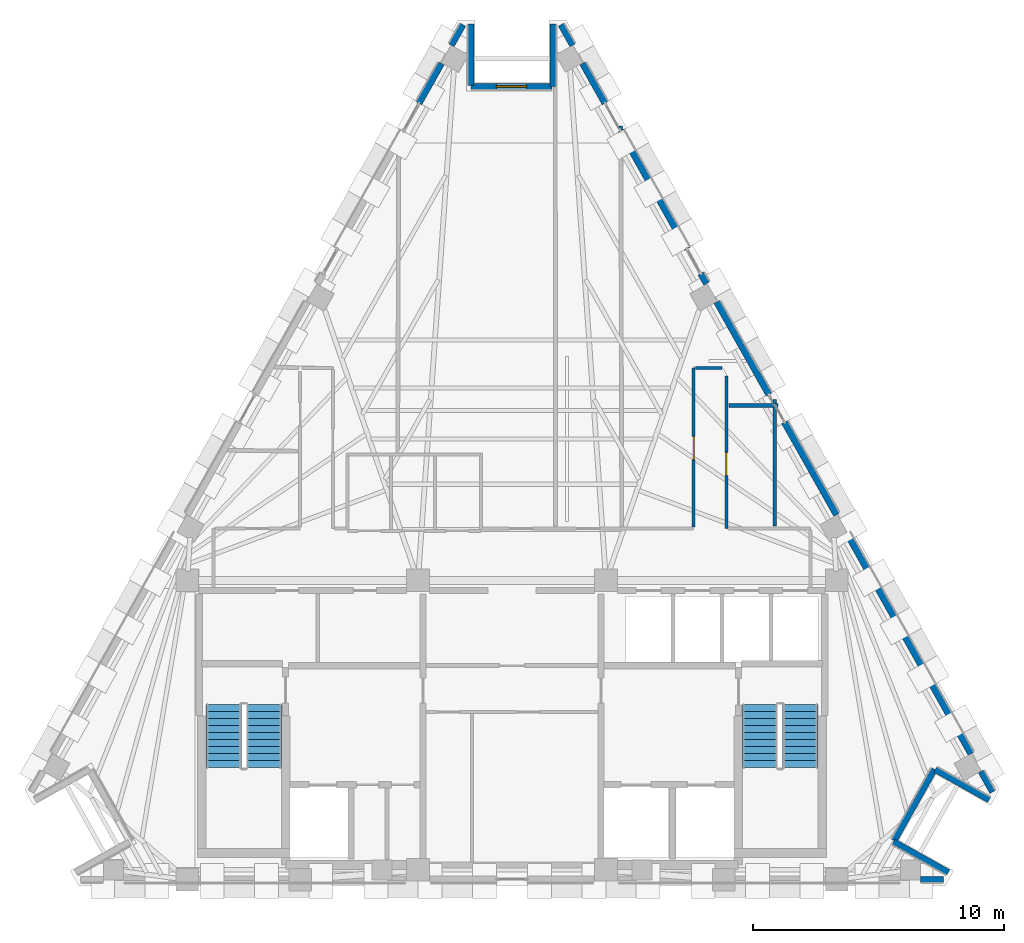
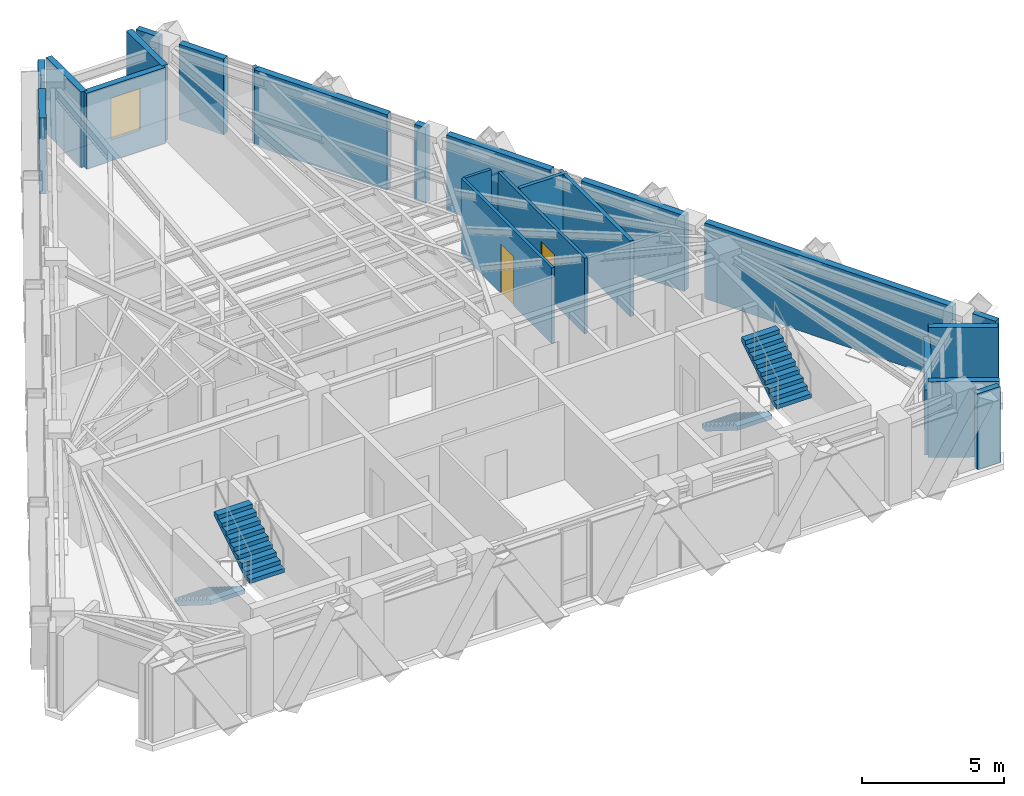
# One storey, part 7 of 9: 24 walls, 4 stair flights, 2 doors, 1 window, 3 openings, 2 elements without a shape of their own.
"""IFC4 building model written with IfcOpenShell, lengths in metres."""

from ifc_helpers import new_model, si_unit, direction, frame, frame_2d, origin, place, context, subcontext, project, spatial, polyline, rectangle, outline, extrude, material, layer, layer_set, type_object, element, fill, aggregate, save


model = new_model("IFC4")

# Units and contexts
model_context = context("Model", 3, precision=1e-05, world=origin(), true_north=direction((0.0, 1.0)))
body_context = subcontext(model_context, "Body", "Model", "MODEL_VIEW")
ifc_project = project(units=[si_unit("LENGTHUNIT", "METRE"), si_unit("AREAUNIT", "SQUARE_METRE"), si_unit("VOLUMEUNIT", "CUBIC_METRE"), si_unit("PLANEANGLEUNIT", "RADIAN"), si_unit("MASSUNIT", "GRAM", prefix="KILO")], contexts=[model_context])

# Site, building, storey
site_placement = place(None, origin())
site = spatial("IfcSite", under=ifc_project, at=site_placement, CompositionType="ELEMENT")
building_placement = place(site_placement, origin())
building = spatial("IfcBuilding", under=site, at=building_placement, Name="Quenlor Broadcast Tower", CompositionType="ELEMENT")
storey_placement = place(building_placement, frame((0.0, 0.0, 235.89990234375)))
storey = spatial("IfcBuildingStorey", under=building, at=storey_placement, Name="L65", CompositionType="ELEMENT", Elevation=235.89990234375)

# Walls
ifc_material_1 = material(Name="Acoustic Double Stud Gypsum Partition", Category="other")
ifc_layer_1 = layer(ifc_material_1, 0.14990234375)
ifc_layer_set_1 = layer_set([ifc_layer_1], Name="Broadcast Studio Acoustic Partition 150")
wall_type_1 = type_object("IfcWallType", Name="Broadcast Studio Acoustic Partition 150", PredefinedType="PARTITIONING", material=ifc_layer_set_1)
wall_1_placement = place(storey_placement, frame((4.339599609375, 13.33837890625, 0.0), z_axis=(0.0, 0.0, 1.0), x_axis=(0.002587313462, -0.999996652899, 0.0)))
element("IfcWall", 1, at=wall_1_placement, inside=storey, type_object=wall_type_1, Name="L65 Interior Wall PW-DV-03", PredefinedType="PARTITIONING", context=body_context, shape_type="SweptSolid", body=[
    extrude(rectangle(XDim=0.188720703125, YDim=0.14990234375, at=frame_2d((0.09423828125, 0.0))), origin(), (0.0, 0.0, 1.0), 3.25),
])
wall_2_placement = place(storey_placement, frame((10.6162109375, 2.179931640625, 0.0), z_axis=(0.0, 0.0, 1.0), x_axis=(-1.0, 0.0, 0.0)))
element("IfcWall", 2, at=wall_2_placement, inside=storey, type_object=wall_type_1, Name="L65 Interior Wall PW-DV-05", PredefinedType="PARTITIONING", context=body_context, shape_type="SweptSolid", body=[
    extrude(rectangle(XDim=1.956298828125, YDim=0.14990234375, at=frame_2d((0.97802734375, 0.0))), origin(), (0.0, 0.0, 1.0), 3.25),
])
wall_3_placement = place(storey_placement, frame((10.47998046875, 2.422119140625, 0.0), z_axis=(0.0, 0.0, 1.0), x_axis=(0.0, -1.0, 0.0)))
element("IfcWall", 3, at=wall_3_placement, inside=storey, type_object=wall_type_1, Name="L65 Interior Wall PW-DV-07", PredefinedType="PARTITIONING", context=body_context, shape_type="SweptSolid", body=[
    extrude(rectangle(XDim=0.1650390625, YDim=0.14990234375, at=frame_2d((0.08251953125, 0.0))), origin(), (0.0, 0.0, 1.0), 3.25),
])
wall_4_placement = place(storey_placement, frame((10.47998046875, 2.10302734375, 0.0), z_axis=(0.0, 0.0, 1.0), x_axis=(0.0, -1.0, 0.0)))
element("IfcWall", 4, at=wall_4_placement, inside=storey, type_object=wall_type_1, Name="L65 Interior Wall PW-DV-07S2", PredefinedType="PARTITIONING", context=body_context, shape_type="SweptSolid", body=[
    extrude(rectangle(XDim=4.72314453125, YDim=0.14990234375, at=frame_2d((2.361572265625, 0.0))), origin(), (0.0, 0.0, 1.0), 3.25),
])

# Wall, opening, door
ifc_material_2 = material(Name="Gypsum Plasterboard Partition", Category="other")
ifc_layer_2 = layer(ifc_material_2, 0.1201171875)
ifc_layer_set_2 = layer_set([ifc_layer_2], Name="Standard Office Partition 120")
wall_type_2 = type_object("IfcWallType", Name="Standard Office Partition 120", PredefinedType="PARTITIONING", material=ifc_layer_set_2)
wall_5_placement = place(storey_placement, frame((7.25, -2.66796875, 0.0), z_axis=(0.0, 0.0, 1.0), x_axis=(0.0, 1.0, 0.0)))
wall_5 = element("IfcWall", 5, at=wall_5_placement, inside=storey, type_object=wall_type_2, Name="L65 Interior Wall PW-CR-09", PredefinedType="PARTITIONING", context=body_context, shape_type="SweptSolid", body=[
    extrude(rectangle(XDim=6.347900390625, YDim=0.1201171875, at=frame_2d((3.173828125, 0.0))), origin(), (0.0, 0.0, 1.0), 3.25),
])
opening_1_placement = place(wall_5_placement, frame((2.68310546875, 0.0, 0.0)))
opening_1 = element("IfcOpeningElement", 6, at=opening_1_placement, cuts=wall_5, Name="Opening ID-1", PredefinedType="OPENING", context=body_context, shape_type="SweptSolid", body=[
    extrude(rectangle(XDim=0.919921875, YDim=2.1201171875, at=frame_2d((0.4599609375, 1.06005859375))), frame((0.0, 0.070068359375, 0.0), z_axis=(0.0, -1.0, 0.0), x_axis=(1.0, 0.0, 0.0)), (0.0, 0.0, 1.0), 0.14013671875),
])
ifc_material_3 = material(Name="Solid Core Timber Oak", Category="wood")
door_type = type_object("IfcDoorType", Name="Single Leaf Timber Office Door 920x2120", OperationType="NOTDEFINED", PredefinedType="DOOR", material=ifc_material_3)
door_1_placement = place(opening_1_placement, origin())
door_1 = element("IfcDoor", 7, at=door_1_placement, inside=storey, type_object=door_type, Name="L65 Door DR-RM04", OperationType="SINGLE_SWING_RIGHT", OverallHeight=2.1201171875, OverallWidth=0.919921875, PredefinedType="DOOR", context=body_context, shape_type="SweptSolid", body=[
    extrude(rectangle(XDim=0.919921875, YDim=2.1201171875, at=frame_2d((0.4599609375, 1.06005859375))), frame((0.0, 0.02490234375, 0.0), z_axis=(0.0, -1.0, 0.0), x_axis=(1.0, 0.0, 0.0)), (0.0, 0.0, 1.0), 0.050048828125),
])
fill(opening_1, door_1)

# Wall
wall_6_placement = place(storey_placement, frame((7.31201171875, 3.679931640625, 0.0), z_axis=(0.0, 0.0, 1.0), x_axis=(1.0, 0.0, 0.0)))
element("IfcWall", 8, at=wall_6_placement, inside=storey, type_object=wall_type_2, Name="L65 Interior Wall PW-CR-10", PredefinedType="PARTITIONING", context=body_context, shape_type="SweptSolid", body=[
    extrude(rectangle(XDim=1.060791015625, YDim=0.1201171875, at=frame_2d((0.5302734375, 0.0))), origin(), (0.0, 0.0, 1.0), 3.25),
])

# Wall, opening, door
wall_7_placement = place(storey_placement, frame((8.550048828125, 3.36474609375, 0.0), z_axis=(0.0, 0.0, 1.0), x_axis=(0.0, -1.0, 0.0)))
wall_7 = element("IfcWall", 9, at=wall_7_placement, inside=storey, type_object=wall_type_2, Name="L65 Interior Wall PW-CR-12", PredefinedType="PARTITIONING", context=body_context, shape_type="SweptSolid", body=[
    extrude(rectangle(XDim=6.0947265625, YDim=0.1201171875, at=frame_2d((3.04736328125, 0.0))), origin(), (0.0, 0.0, 1.0), 3.25),
])
opening_2_placement = place(wall_7_placement, frame((3.051025390625, 0.0, 0.0)))
opening_2 = element("IfcOpeningElement", 10, at=opening_2_placement, cuts=wall_7, Name="Opening ID-1", PredefinedType="OPENING", context=body_context, shape_type="SweptSolid", body=[
    extrude(rectangle(XDim=0.919921875, YDim=2.1201171875, at=frame_2d((0.4599609375, 1.06005859375))), frame((0.0, 0.070068359375, 0.0), z_axis=(0.0, -1.0, 0.0), x_axis=(1.0, 0.0, 0.0)), (0.0, 0.0, 1.0), 0.14013671875),
])
door_2_placement = place(opening_2_placement, origin())
door_2 = element("IfcDoor", 11, at=door_2_placement, inside=storey, type_object=door_type, Name="L65 Door DR-RM06", OperationType="SINGLE_SWING_RIGHT", OverallHeight=2.1201171875, OverallWidth=0.919921875, PredefinedType="DOOR", context=body_context, shape_type="SweptSolid", body=[
    extrude(rectangle(XDim=0.919921875, YDim=2.1201171875, at=frame_2d((0.4599609375, 1.06005859375))), frame((0.0, 0.02490234375, 0.0), z_axis=(0.0, -1.0, 0.0), x_axis=(1.0, 0.0, 0.0)), (0.0, 0.0, 1.0), 0.050048828125),
])
fill(opening_2, door_2)

# Walls
ifc_material_4 = material(Name="Precast concrete C40/50", Category="concrete")
ifc_layer_3 = layer(ifc_material_4, 0.239990234375)
ifc_layer_set_3 = layer_set([ifc_layer_3], Name="Terrace Threshold Precast Concrete C40/50 Wall 240")
wall_type_3 = type_object("IfcWallType", Name="Terrace Threshold Precast Concrete C40/50 Wall 240", PredefinedType="STANDARD", material=ifc_layer_set_3)
wall_8_placement = place(storey_placement, frame((17.219970703125, -16.72509765625, 0.0), z_axis=(0.0, 0.0, 1.0), x_axis=(-1.0, 0.0, 0.0)))
element("IfcWall", 12, at=wall_8_placement, inside=storey, type_object=wall_type_3, Name="L65 Exterior Wall L65-SHD-SS0", PredefinedType="STANDARD", context=body_context, shape_type="SweptSolid", body=[
    extrude(rectangle(XDim=0.91748046875, YDim=0.239990234375, at=frame_2d((0.458740234375, 0.0))), origin(), (0.0, 0.0, 1.0), 3.25),
])
for number, where, z_axis, x_axis, name in (
    (13, (1.94970703125, 17.372802734375, 0.0), (0.0, 0.0, 1.0), (0.490199895283, -0.871610040479, 0.0), "L65 Exterior Wall L65-SHD-NES0"),
    (14, (18.707763671875, -12.4189453125, 0.0), (0.0, 0.0, 1.0), (0.490199895283, -0.871610040479, 0.0), "L65 Exterior Wall L65-SHD-NES1"),
    (15, (-2.412841796875, 16.54931640625, 0.0), (0.0, 0.0, 1.0), (0.490199895283, 0.871610040479, 0.0), "L65 Exterior Wall L65-SHD-NWS1"),
):
    element("IfcWall", number, at=place(storey_placement, frame(where, z_axis=z_axis, x_axis=x_axis)), inside=storey, type_object=wall_type_3, Name=name, PredefinedType="STANDARD", context=body_context, shape_type="SweptSolid", body=[
        extrude(rectangle(XDim=0.94482421875, YDim=0.239990234375, at=frame_2d((0.472412109375, 0.0))), origin(), (0.0, 0.0, 1.0), 3.25),
    ])
wall_9_placement = place(storey_placement, frame((17.40771484375, -16.446533203125, 0.0), z_axis=(0.0, 0.0, 1.0), x_axis=(-0.871588577066, 0.490238056792, 0.0)))
element("IfcWall", 16, at=wall_9_placement, inside=storey, type_object=wall_type_3, Name="L65 Exterior Wall L65-CNR-01", PredefinedType="STANDARD", context=body_context, shape_type="SweptSolid", body=[
    extrude(rectangle(XDim=2.5, YDim=0.239990234375, at=frame_2d((1.25, 0.0))), origin(), (0.0, 0.0, 1.0), 3.25),
])
wall_10_placement = place(storey_placement, frame((15.248291015625, -15.18603515625, 0.0), z_axis=(0.0, 0.0, 1.0), x_axis=(0.490293083368, 0.871557624258, 0.0)))
element("IfcWall", 17, at=wall_10_placement, inside=storey, type_object=wall_type_3, Name="L65 Exterior Wall L65-CNR-02", PredefinedType="STANDARD", context=body_context, shape_type="SweptSolid", body=[
    extrude(rectangle(XDim=3.276123046875, YDim=0.239990234375, at=frame_2d((1.63818359375, 0.0))), origin(), (0.0, 0.0, 1.0), 2.789794921875),
])
wall_11_placement = place(storey_placement, frame((16.889404296875, -12.350341796875, 0.0), z_axis=(0.0, 0.0, 1.0), x_axis=(0.87157023615, -0.490270663468, 0.0)))
element("IfcWall", 18, at=wall_11_placement, inside=storey, type_object=wall_type_3, Name="L65 Exterior Wall L65-CNR-03", PredefinedType="STANDARD", context=body_context, shape_type="SweptSolid", body=[
    extrude(rectangle(XDim=2.4599609375, YDim=0.239990234375, at=frame_2d((1.22998046875, 0.0))), origin(), (0.0, 0.0, 1.0), 3.25),
])
wall_12_placement = place(storey_placement, frame((1.62890625, 17.39990234375, 0.0), z_axis=(0.0, 0.0, 1.0), x_axis=(0.0, -1.0, 0.0)))
element("IfcWall", 19, at=wall_12_placement, inside=storey, type_object=wall_type_3, Name="L65 Exterior Wall L65-CNR-07", PredefinedType="STANDARD", context=body_context, shape_type="SweptSolid", body=[
    extrude(rectangle(XDim=2.5, YDim=0.239990234375, at=frame_2d((1.25, 0.0))), origin(), (0.0, 0.0, 1.0), 3.25),
])

# Wall, opening, window
wall_13_placement = place(storey_placement, frame((1.5888671875, 14.89990234375, 0.0), z_axis=(0.0, 0.0, 1.0), x_axis=(-1.0, 0.0, 0.0)))
wall_13 = element("IfcWall", 20, at=wall_13_placement, inside=storey, type_object=wall_type_3, Name="L65 Exterior Wall L65-CNR-08", PredefinedType="STANDARD", context=body_context, shape_type="SweptSolid", body=[
    extrude(rectangle(XDim=3.2177734375, YDim=0.239990234375, at=frame_2d((1.60888671875, 0.0))), origin(), (0.0, 0.0, 1.0), 3.25),
])
opening_3_placement = place(wall_13_placement, frame((1.009033203125, 0.0, 0.89990234375)))
opening_3 = element("IfcOpeningElement", 21, at=opening_3_placement, cuts=wall_13, Name="Opening WN-5", PredefinedType="OPENING", context=body_context, shape_type="SweptSolid", body=[
    extrude(rectangle(XDim=1.199951171875, YDim=1.800048828125, at=frame_2d((0.60009765625, 0.89990234375))), frame((0.0, 0.1298828125, 0.0), z_axis=(0.0, -1.0, 0.0), x_axis=(1.0, 0.0, 0.0)), (0.0, 0.0, 1.0), 0.260009765625),
])
ifc_material_5 = material(Name="Thermally Broken Aluminium and Low-E Glass", Category="aluminium")
window_type = type_object("IfcWindowType", Name="Corner Chamfer Punched Window 1200x1800", PartitioningType="SINGLE_PANEL", PredefinedType="WINDOW", material=ifc_material_5)
window_placement = place(opening_3_placement, origin())
window = element("IfcWindow", 22, at=window_placement, inside=storey, type_object=window_type, Name="L65 Corner Chamfer Window 8", OverallHeight=1.800048828125, OverallWidth=1.199951171875, PartitioningType="SINGLE_PANEL", PredefinedType="WINDOW", context=body_context, shape_type="SweptSolid", body=[
    extrude(rectangle(XDim=1.199951171875, YDim=1.800048828125, at=frame_2d((0.60009765625, 0.89990234375))), frame((0.0, 0.030029296875, 0.0), z_axis=(0.0, -1.0, 0.0), x_axis=(1.0, 0.0, 0.0)), (0.0, 0.0, 1.0), 0.06005859375),
])
fill(opening_3, window)

# Walls
wall_14_placement = place(storey_placement, frame((-1.62890625, 14.93994140625, 0.0), z_axis=(0.0, 0.0, 1.0), x_axis=(0.0, 1.0, 0.0)))
element("IfcWall", 23, at=wall_14_placement, inside=storey, type_object=wall_type_3, Name="L65 Exterior Wall L65-CNR-09", PredefinedType="STANDARD", context=body_context, shape_type="SweptSolid", body=[
    extrude(rectangle(XDim=2.4599609375, YDim=0.239990234375, at=frame_2d((1.22998046875, 0.0))), origin(), (0.0, 0.0, 1.0), 3.25),
])
ifc_material_6 = material(Name="Precast concrete C40/50", Category="concrete")
ifc_layer_4 = layer(ifc_material_6, 0.260009765625)
ifc_layer_set_4 = layer_set([ifc_layer_4], Name="Terracotta Precast Concrete C40/50 Upper Wall 260")
wall_type_4 = type_object("IfcWallType", Name="Terracotta Precast Concrete C40/50 Upper Wall 260", PredefinedType="STANDARD", material=ifc_layer_set_4)
wall_15_placement = place(storey_placement, frame((2.81982421875, 15.825927734375, 0.0), z_axis=(0.0, 0.0, 1.0), x_axis=(0.490261239633, -0.871575537125, 0.0)))
element("IfcWall", 24, at=wall_15_placement, inside=storey, type_object=wall_type_4, Name="L65 Exterior Wall L65-NEA-SP1", PredefinedType="STANDARD", context=body_context, shape_type="SweptSolid", body=[
    extrude(rectangle(XDim=1.819580078125, YDim=0.260009765625, at=frame_2d((0.90966796875, 0.0))), origin(), (0.0, 0.0, 1.0), 3.25),
])
wall_16_placement = place(storey_placement, frame((4.329833984375, 13.1416015625, 0.0), z_axis=(0.0, 0.0, 1.0), x_axis=(0.490265525523, -0.871573126297, 0.0)))
element("IfcWall", 25, at=wall_16_placement, inside=storey, type_object=wall_type_4, Name="L65 Exterior Wall L65-NEA-SP2", PredefinedType="STANDARD", context=body_context, shape_type="SweptSolid", body=[
    extrude(rectangle(XDim=5.408935546875, YDim=0.260009765625, at=frame_2d((2.70458984375, 0.0))), origin(), (0.0, 0.0, 1.0), 3.25),
])
wall_17_placement = place(storey_placement, frame((7.534423828125, 7.444580078125, 0.0), z_axis=(0.0, 0.0, 1.0), x_axis=(0.490412424957, -0.871490478116, 0.0)))
element("IfcWall", 26, at=wall_17_placement, inside=storey, type_object=wall_type_4, Name="L65 Exterior Wall L65-NEA-SP3", PredefinedType="STANDARD", context=body_context, shape_type="SweptSolid", body=[
    extrude(rectangle(XDim=0.4599609375, YDim=0.260009765625, at=frame_2d((0.22998046875, 0.0))), origin(), (0.0, 0.0, 1.0), 3.25),
])
wall_18_placement = place(storey_placement, frame((13.350830078125, -2.895751953125, 0.0), z_axis=(0.0, 0.0, 1.0), x_axis=(0.490266968583, -0.871572314565, 0.0)))
element("IfcWall", 27, at=wall_18_placement, inside=storey, type_object=wall_type_4, Name="L65 Exterior Wall L65-EW-NEC", PredefinedType="STANDARD", context=body_context, shape_type="SweptSolid", body=[
    extrude(rectangle(XDim=10.116455078125, YDim=0.260009765625, at=frame_2d((5.05810546875, 0.0))), origin(), (0.0, 0.0, 1.0), 3.25),
])
wall_19_placement = place(storey_placement, frame((8.17431640625, 6.30712890625, 0.0), z_axis=(0.0, 0.0, 1.0), x_axis=(0.490269447258, -0.871570920284, 0.0)))
element("IfcWall", 28, at=wall_19_placement, inside=storey, type_object=wall_type_4, Name="L65 Exterior Wall L65-NE-SP1", PredefinedType="STANDARD", context=body_context, shape_type="SweptSolid", body=[
    extrude(rectangle(XDim=4.23681640625, YDim=0.260009765625, at=frame_2d((2.118408203125, 0.0))), origin(), (0.0, 0.0, 1.0), 3.25),
])
wall_20_placement = place(storey_placement, frame((10.869140625, 1.51611328125, 0.0), z_axis=(0.0, 0.0, 1.0), x_axis=(0.490244825075, -0.871584770109, 0.0)))
element("IfcWall", 29, at=wall_20_placement, inside=storey, type_object=wall_type_4, Name="L65 Exterior Wall L65-NE-SP2", PredefinedType="STANDARD", context=body_context, shape_type="SweptSolid", body=[
    extrude(rectangle(XDim=4.237060546875, YDim=0.260009765625, at=frame_2d((2.11865234375, 0.0))), origin(), (0.0, 0.0, 1.0), 3.25),
])
wall_21_placement = place(storey_placement, frame((-3.7119140625, 14.239990234375, 0.0), z_axis=(0.0, 0.0, 1.0), x_axis=(0.490261239633, 0.871575537125, 0.0)))
element("IfcWall", 30, at=wall_21_placement, inside=storey, type_object=wall_type_4, Name="L65 Exterior Wall L65-NWC-SP3", PredefinedType="STANDARD", context=body_context, shape_type="SweptSolid", body=[
    extrude(rectangle(XDim=1.819580078125, YDim=0.260009765625, at=frame_2d((0.90966796875, 0.0))), origin(), (0.0, 0.0, 1.0), 3.25),
])

# Stair, stair flights
ifc_material_7 = material(Name="Precast concrete C40/50", Category="concrete")
stair_type = type_object("IfcStairType", Name="Precast Concrete C40/50 Dogleg Stair H350", PredefinedType="HALF_TURN_STAIR", material=ifc_material_7)
stair_1_placement = place(storey_placement, origin())
stair_1 = element("IfcStair", 31, at=stair_1_placement, inside=storey, type_object=stair_type, Name="L65 West Core Fire-Isolated Exit Stair ST-1", PredefinedType="HALF_TURN_STAIR")
ifc_material_8 = material(Name="Precast concrete C40/50", Category="concrete")
ifc_layer_5 = layer(ifc_material_8, 0.159912109375)
ifc_layer_set_5 = layer_set([ifc_layer_5], Name="Precast Concrete C40/50 Stair Flight H350")
stair_flight_type = type_object("IfcStairFlightType", Name="Precast Concrete C40/50 Stair Flight H350", PredefinedType="STRAIGHT", material=ifc_layer_set_5)
stair_flight_1_placement = place(storey_placement, frame((-11.5, -9.75, 0.0), z_axis=(0.0, 0.0, 1.0), x_axis=(0.0, -1.0, 0.0)))
stair_flight_1 = element("IfcStairFlight", 32, at=stair_flight_1_placement, type_object=stair_flight_type, Name="ST-1 flight 1", NumberOfRisers=10, NumberOfTreads=9, PredefinedType="STRAIGHT", RiserHeight=0.175, TreadLength=0.28, context=body_context, shape_type="SweptSolid", body=[
    extrude(outline(polyline([(0.0, 0.0), (0.0, 0.175048828125), (0.280029296875, 0.175048828125), (0.280029296875, 0.35009765625), (0.56005859375, 0.35009765625), (0.56005859375, 0.52490234375), (0.840087890625, 0.52490234375), (0.840087890625, 0.699951171875), (1.1201171875, 0.699951171875), (1.1201171875, 0.875), (1.39990234375, 0.875), (1.39990234375, 1.050048828125), (1.679931640625, 1.050048828125), (1.679931640625, 1.22509765625), (1.9599609375, 1.22509765625), (1.9599609375, 1.39990234375), (2.239990234375, 1.39990234375), (2.239990234375, 1.574951171875), (2.52001953125, 1.574951171875), (2.52001953125, 1.75), (2.52001953125, 1.398193359375), (0.28271484375, 0.0), (0.0, 0.0)])), frame((0.0, 0.699951171875, 0.0), z_axis=(0.0, -1.0, 0.0), x_axis=(1.0, 0.0, 0.0)), (0.0, 0.0, 1.0), 1.39990234375),
])
stair_flight_2_placement = place(storey_placement, frame((-9.89990234375, -12.27001953125, 1.75), z_axis=(0.0, 0.0, 1.0), x_axis=(0.0, 1.0, 0.0)))
stair_flight_2 = element("IfcStairFlight", 33, at=stair_flight_2_placement, type_object=stair_flight_type, Name="ST-1 flight 2", NumberOfRisers=10, NumberOfTreads=9, PredefinedType="STRAIGHT", RiserHeight=0.175, TreadLength=0.28, context=body_context, shape_type="SweptSolid", body=[
    extrude(outline(polyline([(0.0, 0.0), (0.0, 0.175048828125), (0.280029296875, 0.175048828125), (0.280029296875, 0.35009765625), (0.56005859375, 0.35009765625), (0.56005859375, 0.52490234375), (0.840087890625, 0.52490234375), (0.840087890625, 0.699951171875), (1.1201171875, 0.699951171875), (1.1201171875, 0.875), (1.39990234375, 0.875), (1.39990234375, 1.050048828125), (1.679931640625, 1.050048828125), (1.679931640625, 1.22509765625), (1.9599609375, 1.22509765625), (1.9599609375, 1.39990234375), (2.239990234375, 1.39990234375), (2.239990234375, 1.574951171875), (2.52001953125, 1.574951171875), (2.52001953125, 1.75), (2.52001953125, 1.398193359375), (0.28271484375, 0.0), (0.0, 0.0)])), frame((0.0, 0.699951171875, 0.0), z_axis=(0.0, -1.0, 0.0), x_axis=(1.0, 0.0, 0.0)), (0.0, 0.0, 1.0), 1.39990234375),
])
aggregate(stair_1, [stair_flight_1, stair_flight_2])

stair_2_placement = place(storey_placement, origin())
stair_2 = element("IfcStair", 34, at=stair_2_placement, inside=storey, type_object=stair_type, Name="L65 East Core Fire-Isolated Exit Stair ST-2", PredefinedType="HALF_TURN_STAIR")
stair_flight_3_placement = place(storey_placement, frame((9.89990234375, -9.75, 0.0), z_axis=(0.0, 0.0, 1.0), x_axis=(0.0, -1.0, 0.0)))
stair_flight_3 = element("IfcStairFlight", 35, at=stair_flight_3_placement, type_object=stair_flight_type, Name="ST-2 flight 1", NumberOfRisers=10, NumberOfTreads=9, PredefinedType="STRAIGHT", RiserHeight=0.175, TreadLength=0.28, context=body_context, shape_type="SweptSolid", body=[
    extrude(outline(polyline([(0.0, 0.0), (0.0, 0.175048828125), (0.280029296875, 0.175048828125), (0.280029296875, 0.35009765625), (0.56005859375, 0.35009765625), (0.56005859375, 0.52490234375), (0.840087890625, 0.52490234375), (0.840087890625, 0.699951171875), (1.1201171875, 0.699951171875), (1.1201171875, 0.875), (1.39990234375, 0.875), (1.39990234375, 1.050048828125), (1.679931640625, 1.050048828125), (1.679931640625, 1.22509765625), (1.9599609375, 1.22509765625), (1.9599609375, 1.39990234375), (2.239990234375, 1.39990234375), (2.239990234375, 1.574951171875), (2.52001953125, 1.574951171875), (2.52001953125, 1.75), (2.52001953125, 1.398193359375), (0.28271484375, 0.0), (0.0, 0.0)])), frame((0.0, 0.699951171875, 0.0), z_axis=(0.0, -1.0, 0.0), x_axis=(1.0, 0.0, 0.0)), (0.0, 0.0, 1.0), 1.39990234375),
])
stair_flight_4_placement = place(storey_placement, frame((11.5, -12.27001953125, 1.75), z_axis=(0.0, 0.0, 1.0), x_axis=(0.0, 1.0, 0.0)))
stair_flight_4 = element("IfcStairFlight", 36, at=stair_flight_4_placement, type_object=stair_flight_type, Name="ST-2 flight 2", NumberOfRisers=10, NumberOfTreads=9, PredefinedType="STRAIGHT", RiserHeight=0.175, TreadLength=0.28, context=body_context, shape_type="SweptSolid", body=[
    extrude(outline(polyline([(0.0, 0.0), (0.0, 0.175048828125), (0.280029296875, 0.175048828125), (0.280029296875, 0.35009765625), (0.56005859375, 0.35009765625), (0.56005859375, 0.52490234375), (0.840087890625, 0.52490234375), (0.840087890625, 0.699951171875), (1.1201171875, 0.699951171875), (1.1201171875, 0.875), (1.39990234375, 0.875), (1.39990234375, 1.050048828125), (1.679931640625, 1.050048828125), (1.679931640625, 1.22509765625), (1.9599609375, 1.22509765625), (1.9599609375, 1.39990234375), (2.239990234375, 1.39990234375), (2.239990234375, 1.574951171875), (2.52001953125, 1.574951171875), (2.52001953125, 1.75), (2.52001953125, 1.398193359375), (0.28271484375, 0.0), (0.0, 0.0)])), frame((0.0, 0.699951171875, 0.0), z_axis=(0.0, -1.0, 0.0), x_axis=(1.0, 0.0, 0.0)), (0.0, 0.0, 1.0), 1.39990234375),
])
aggregate(stair_2, [stair_flight_3, stair_flight_4])

save(model, "model.ifc")
